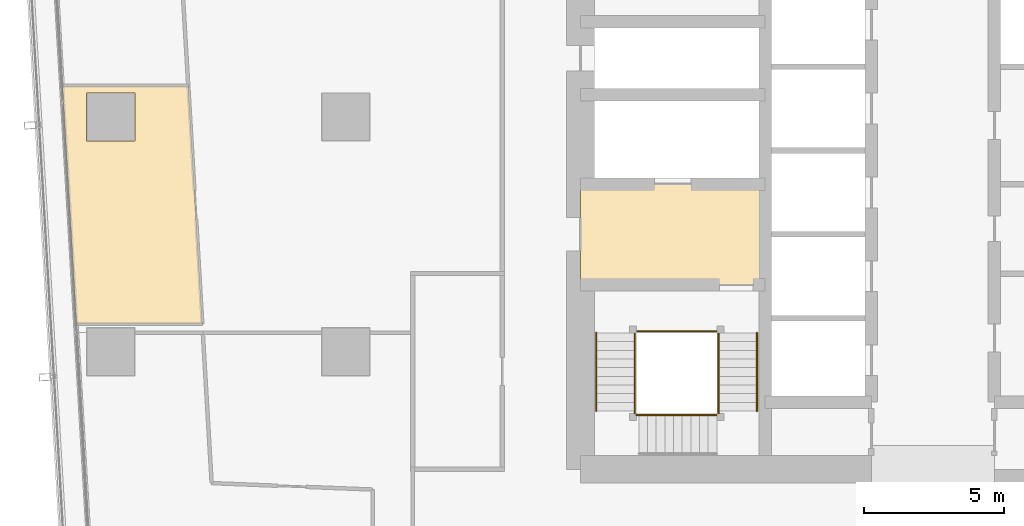
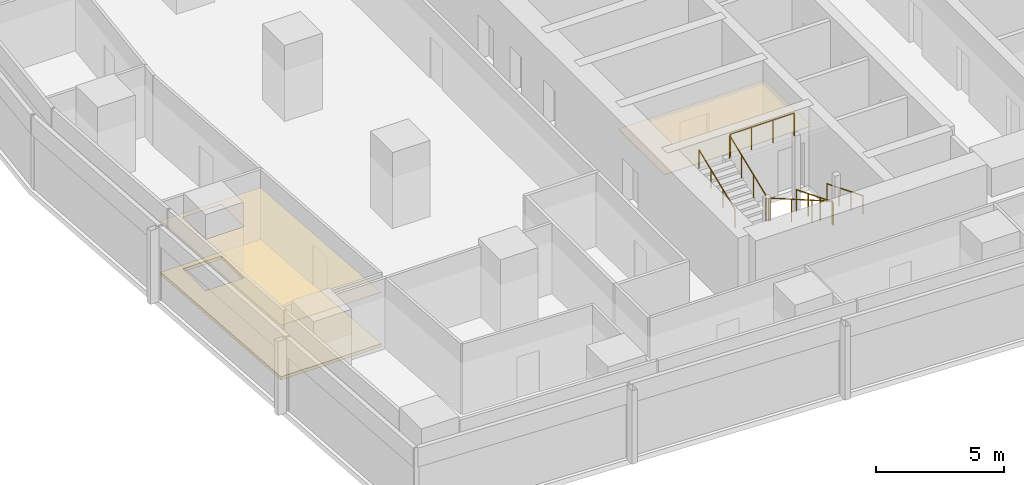
# One storey, part 33 of 39: 9 railings, 3 coverings.
"""IFC4 building model written with IfcOpenShell, lengths in metres."""

from ifc_helpers import new_model, si_unit, direction, frame, origin, origin_2d, place, context, subcontext, project, spatial, polyline, circle, outline, extrude, material, layer, layer_set, type_object, element, save


model = new_model("IFC4")

# Units and contexts
model_context = context("Model", 3, precision=1e-05, world=origin(), true_north=direction((0.0, 1.0)))
body_context = subcontext(model_context, "Body", "Model", "MODEL_VIEW")
ifc_project = project(units=[si_unit("LENGTHUNIT", "METRE"), si_unit("AREAUNIT", "SQUARE_METRE"), si_unit("VOLUMEUNIT", "CUBIC_METRE"), si_unit("PLANEANGLEUNIT", "RADIAN"), si_unit("MASSUNIT", "GRAM", prefix="KILO")], contexts=[model_context])

# Site, building, storey
site_placement = place(None, origin())
site = spatial("IfcSite", under=ifc_project, at=site_placement, CompositionType="ELEMENT")
building_placement = place(site_placement, origin())
building = spatial("IfcBuilding", under=site, at=building_placement, Name="Rekha Terrace Tower", CompositionType="ELEMENT")
storey_placement = place(building_placement, frame((0.0, 0.0, 183.949951171875)))
storey = spatial("IfcBuildingStorey", under=building, at=storey_placement, Name="L46", CompositionType="ELEMENT", Elevation=183.949951171875)

# Coverings
ifc_material_1 = material(Name="Mineral fibre tile in exposed grid", Category="finish")
ifc_layer_1 = layer(ifc_material_1, 0.02001953125)
ifc_layer_set_1 = layer_set([ifc_layer_1], Name="Mineral fibre tile in exposed grid")
covering_type_1 = type_object("IfcCoveringType", Name="CL1 600x1200 office grid ceiling", PredefinedType="CEILING", material=ifc_layer_set_1)
covering_1_placement = place(storey_placement, frame((0.0, 0.0, 2.580078125)))
element("IfcCovering", 1, at=covering_1_placement, inside=storey, type_object=covering_type_1, Name="Ceiling L46-21", PredefinedType="CEILING", context=body_context, shape_type="SweptSolid", body=[
    extrude(outline(polyline([(11.16796875, 34.7099609375), (6.660888671875, 34.7099609375), (7.162109375, 26.198974609375), (11.669921875, 26.198974609375), (11.16796875, 34.7099609375)]), holes=[polyline([(9.264892578125, 34.465087890625), (9.264892578125, 32.735107421875), (7.534912109375, 32.735107421875), (7.534912109375, 34.465087890625), (9.264892578125, 34.465087890625)])]), origin(), (0.0, 0.0, 1.0), 0.02001953125),
])
ifc_material_2 = material(Name="Powder-coated aluminium pan", Category="aluminium")
ifc_layer_2 = layer(ifc_material_2, 0.030029296875)
ifc_layer_set_2 = layer_set([ifc_layer_2], Name="Powder-coated aluminium pan")
covering_type_2 = type_object("IfcCoveringType", Name="CL3 300x1200 metal pan ceiling", PredefinedType="CEILING", material=ifc_layer_set_2)
covering_2_placement = place(storey_placement, frame((0.0, 0.0, 2.570068359375)))
element("IfcCovering", 2, at=covering_2_placement, inside=storey, type_object=covering_type_2, Name="Ceiling L46-FLB1", PredefinedType="CEILING", context=body_context, shape_type="SweptSolid", body=[
    extrude(outline(polyline([(31.800048828125, 31.199951171875), (25.199951171875, 31.199951171875), (25.199951171875, 27.60009765625), (31.800048828125, 27.60009765625), (31.800048828125, 31.199951171875)])), origin(), (0.0, 0.0, 1.0), 0.030029296875),
])

# Railings
ifc_material_3 = material(Name="Stainless steel balustrade", Category="steel")
railing_type_1 = type_object("IfcRailingType", Name="GR1 1100 stair guard", PredefinedType="GUARDRAIL", material=ifc_material_3)
railing_1_placement = place(storey_placement, frame((30.135009765625, 25.875, 0.125)))
element("IfcRailing", 3, at=railing_1_placement, inside=storey, type_object=railing_type_1, Name="Guard ST1 L46 flight 1", PredefinedType="GUARDRAIL", context=body_context, shape_type="SweptSolid", body=[
    extrude(circle(Radius=0.02392578125, at=origin_2d()), frame((0.0, 0.0, 1.076171875), z_axis=(0.0, -0.927443287984, 0.373963831907), x_axis=(1.0, 0.0, 0.0)), (0.0, 0.0, 1.0), 3.00830078125),
    extrude(circle(Radius=0.02099609375, at=origin_2d()), origin(), (0.0, 0.0, 1.0), 1.052001953125),
    extrude(circle(Radius=0.02099609375, at=origin_2d()), frame((0.0, -0.929931640625, 0.375)), (0.0, 0.0, 1.0), 1.052001953125),
    extrude(circle(Radius=0.02099609375, at=origin_2d()), frame((0.0, -1.860107421875, 0.75)), (0.0, 0.0, 1.0), 1.052001953125),
    extrude(circle(Radius=0.02099609375, at=origin_2d()), frame((0.0, -2.7900390625, 1.125)), (0.0, 0.0, 1.0), 1.052001953125),
])
railing_2_placement = place(storey_placement, frame((30.074951171875, 22.93994140625, 1.375)))
element("IfcRailing", 4, at=railing_2_placement, inside=storey, type_object=railing_type_1, Name="Guard ST1 L46 flight 2", PredefinedType="GUARDRAIL", context=body_context, shape_type="SweptSolid", body=[
    extrude(circle(Radius=0.02392578125, at=origin_2d()), frame((0.0, 0.0, 1.076171875), z_axis=(-0.927443287984, 0.0, 0.373963831907), x_axis=(0.0, -1.0, 0.0)), (0.0, 0.0, 1.0), 3.00830078125),
    extrude(circle(Radius=0.02099609375, at=origin_2d()), origin(), (0.0, 0.0, 1.0), 1.052001953125),
    extrude(circle(Radius=0.02099609375, at=origin_2d()), frame((-0.929931640625, 0.0, 0.375)), (0.0, 0.0, 1.0), 1.052001953125),
    extrude(circle(Radius=0.02099609375, at=origin_2d()), frame((-1.860107421875, 0.0, 0.75)), (0.0, 0.0, 1.0), 1.052001953125),
    extrude(circle(Radius=0.02099609375, at=origin_2d()), frame((-2.7900390625, 0.0, 1.125)), (0.0, 0.0, 1.0), 1.052001953125),
])
railing_3_placement = place(storey_placement, frame((27.139892578125, 23.0849609375, 2.625)))
element("IfcRailing", 5, at=railing_3_placement, inside=storey, type_object=railing_type_1, Name="Guard ST1 L46 flight 3", PredefinedType="GUARDRAIL", context=body_context, shape_type="SweptSolid", body=[
    extrude(circle(Radius=0.02392578125, at=origin_2d()), frame((0.0, 0.0, 1.076171875), z_axis=(0.0, 0.927443287984, 0.373963831907), x_axis=(-1.0, 0.0, 0.0)), (0.0, 0.0, 1.0), 3.00830078125),
    extrude(circle(Radius=0.02099609375, at=origin_2d()), origin(), (0.0, 0.0, 1.0), 1.052001953125),
    extrude(circle(Radius=0.02099609375, at=origin_2d()), frame((0.0, 0.929931640625, 0.375)), (0.0, 0.0, 1.0), 1.052001953125),
    extrude(circle(Radius=0.02099609375, at=origin_2d()), frame((0.0, 1.860107421875, 0.75)), (0.0, 0.0, 1.0), 1.052001953125),
    extrude(circle(Radius=0.02099609375, at=origin_2d()), frame((0.0, 2.7900390625, 1.125)), (0.0, 0.0, 1.0), 1.052001953125),
])
railing_4_placement = place(storey_placement, frame((30.135009765625, 23.0849609375, 1.25)))
element("IfcRailing", 6, at=railing_4_placement, inside=storey, type_object=railing_type_1, Name="Guard ST1 L46 landing 1", PredefinedType="GUARDRAIL", context=body_context, shape_type="SweptSolid", body=[
    extrude(circle(Radius=0.02392578125, at=origin_2d()), frame((0.0, 0.0, 1.076171875), z_axis=(0.0, -1.0, 0.0), x_axis=(1.0, 0.0, 0.0)), (0.0, 0.0, 1.0), 0.0849609375),
    extrude(circle(Radius=0.02099609375, at=origin_2d()), origin(), (0.0, 0.0, 1.0), 1.052001953125),
    extrude(circle(Radius=0.02099609375, at=origin_2d()), frame((0.0, -0.0849609375, 0.0)), (0.0, 0.0, 1.0), 1.052001953125),
])
railing_5_placement = place(storey_placement, frame((27.284912109375, 22.93994140625, 2.5)))
element("IfcRailing", 7, at=railing_5_placement, inside=storey, type_object=railing_type_1, Name="Guard ST1 L46 landing 2", PredefinedType="GUARDRAIL", context=body_context, shape_type="SweptSolid", body=[
    extrude(circle(Radius=0.02392578125, at=origin_2d()), frame((0.0, 0.0, 1.076171875), z_axis=(-1.0, 0.0, 0.0), x_axis=(0.0, -1.0, 0.0)), (0.0, 0.0, 1.0), 0.0849609375),
    extrude(circle(Radius=0.02099609375, at=origin_2d()), origin(), (0.0, 0.0, 1.0), 1.052001953125),
    extrude(circle(Radius=0.02099609375, at=origin_2d()), frame((-0.0849609375, 0.0, 0.0)), (0.0, 0.0, 1.0), 1.052001953125),
])
railing_6_placement = place(storey_placement, frame((27.139892578125, 23.0849609375, 2.5)))
element("IfcRailing", 8, at=railing_6_placement, inside=storey, type_object=railing_type_1, Name="Guard ST1 L46 landing 3", PredefinedType="GUARDRAIL", context=body_context, shape_type="SweptSolid", body=[
    extrude(circle(Radius=0.02392578125, at=origin_2d()), frame((0.0, 0.0, 1.076171875), z_axis=(0.0, -1.0, 0.0), x_axis=(1.0, 0.0, 0.0)), (0.0, 0.0, 1.0), 0.0849609375),
    extrude(circle(Radius=0.02099609375, at=origin_2d()), origin(), (0.0, 0.0, 1.0), 1.052001953125),
    extrude(circle(Radius=0.02099609375, at=origin_2d()), frame((0.0, -0.0849609375, 0.0)), (0.0, 0.0, 1.0), 1.052001953125),
])
railing_7_placement = place(storey_placement, frame((30.074951171875, 25.93505859375, 3.75)))
element("IfcRailing", 9, at=railing_7_placement, inside=storey, type_object=railing_type_1, Name="Guard ST1 L46 landing 4", PredefinedType="GUARDRAIL", context=body_context, shape_type="SweptSolid", body=[
    extrude(circle(Radius=0.02392578125, at=origin_2d()), frame((0.0, 0.0, 1.076171875), z_axis=(-1.0, 0.0, 0.0), x_axis=(0.0, -1.0, 0.0)), (0.0, 0.0, 1.0), 2.875),
    extrude(circle(Radius=0.02099609375, at=origin_2d()), origin(), (0.0, 0.0, 1.0), 1.052001953125),
    extrude(circle(Radius=0.02099609375, at=origin_2d()), frame((-0.958251953125, 0.0, 0.0)), (0.0, 0.0, 1.0), 1.052001953125),
    extrude(circle(Radius=0.02099609375, at=origin_2d()), frame((-1.916748046875, 0.0, 0.0)), (0.0, 0.0, 1.0), 1.052001953125),
    extrude(circle(Radius=0.02099609375, at=origin_2d()), frame((-2.875, 0.0, 0.0)), (0.0, 0.0, 1.0), 1.052001953125),
])
ifc_material_4 = material(Name="Stainless steel tube", Category="steel")
railing_type_2 = type_object("IfcRailingType", Name="HR1 900 stair handrail", PredefinedType="HANDRAIL", material=ifc_material_4)
railing_8_placement = place(storey_placement, frame((31.514892578125, 25.875, 0.125)))
element("IfcRailing", 10, at=railing_8_placement, inside=storey, type_object=railing_type_2, Name="Handrail ST1 L46 flight 1", PredefinedType="HANDRAIL", context=body_context, shape_type="SweptSolid", body=[
    extrude(circle(Radius=0.02392578125, at=origin_2d()), frame((0.0, 0.0, 0.8759765625), z_axis=(0.0, -0.927443287984, 0.373963831907), x_axis=(1.0, 0.0, 0.0)), (0.0, 0.0, 1.0), 3.00830078125),
    extrude(circle(Radius=0.02099609375, at=origin_2d()), origin(), (0.0, 0.0, 1.0), 0.851806640625),
    extrude(circle(Radius=0.02099609375, at=origin_2d()), frame((0.0, -0.929931640625, 0.375)), (0.0, 0.0, 1.0), 0.851806640625),
    extrude(circle(Radius=0.02099609375, at=origin_2d()), frame((0.0, -1.860107421875, 0.75)), (0.0, 0.0, 1.0), 0.851806640625),
    extrude(circle(Radius=0.02099609375, at=origin_2d()), frame((0.0, -2.7900390625, 1.125)), (0.0, 0.0, 1.0), 0.851806640625),
])
railing_9_placement = place(storey_placement, frame((25.760009765625, 23.0849609375, 2.625)))
element("IfcRailing", 11, at=railing_9_placement, inside=storey, type_object=railing_type_2, Name="Handrail ST1 L46 flight 3", PredefinedType="HANDRAIL", context=body_context, shape_type="SweptSolid", body=[
    extrude(circle(Radius=0.02392578125, at=origin_2d()), frame((0.0, 0.0, 0.8759765625), z_axis=(0.0, 0.927443287984, 0.373963831907), x_axis=(-1.0, 0.0, 0.0)), (0.0, 0.0, 1.0), 3.00830078125),
    extrude(circle(Radius=0.02099609375, at=origin_2d()), origin(), (0.0, 0.0, 1.0), 0.851806640625),
    extrude(circle(Radius=0.02099609375, at=origin_2d()), frame((0.0, 0.929931640625, 0.375)), (0.0, 0.0, 1.0), 0.851806640625),
    extrude(circle(Radius=0.02099609375, at=origin_2d()), frame((0.0, 1.860107421875, 0.75)), (0.0, 0.0, 1.0), 0.851806640625),
    extrude(circle(Radius=0.02099609375, at=origin_2d()), frame((0.0, 2.7900390625, 1.125)), (0.0, 0.0, 1.0), 0.851806640625),
])

# Covering
ifc_material_5 = material(Name="Calcium sulphate panels on steel pedestals", Category="steel")
ifc_layer_3 = layer(ifc_material_5, 0.14990234375)
ifc_layer_set_3 = layer_set([ifc_layer_3], Name="Calcium sulphate panels on steel pedestals")
covering_type_3 = type_object("IfcCoveringType", Name="RF1 150 raised access floor", PredefinedType="FLOORING", material=ifc_layer_set_3)
covering_3_placement = place(storey_placement, origin())
element("IfcCovering", 12, at=covering_3_placement, inside=storey, type_object=covering_type_3, Name="Raised floor L46-21", PredefinedType="FLOORING", context=body_context, shape_type="SweptSolid", body=[
    extrude(outline(polyline([(11.16796875, 34.7099609375), (6.660888671875, 34.7099609375), (7.162109375, 26.198974609375), (11.669921875, 26.198974609375), (11.16796875, 34.7099609375)]), holes=[polyline([(9.264892578125, 34.465087890625), (9.264892578125, 32.735107421875), (7.534912109375, 32.735107421875), (7.534912109375, 34.465087890625), (9.264892578125, 34.465087890625)])]), origin(), (0.0, 0.0, 1.0), 0.150146484375),
])

save(model, "model.ifc")
